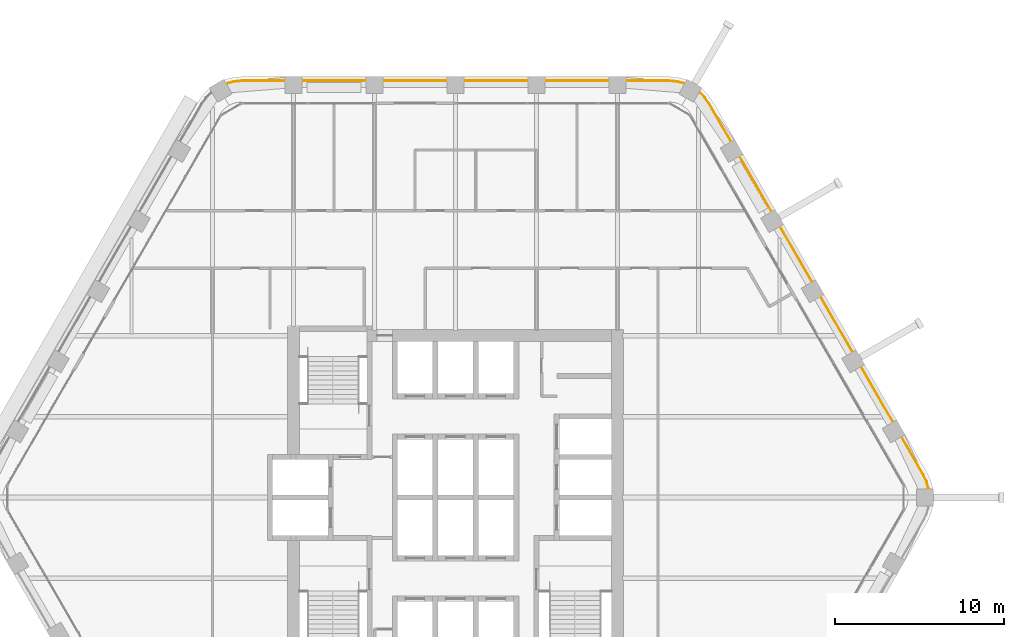
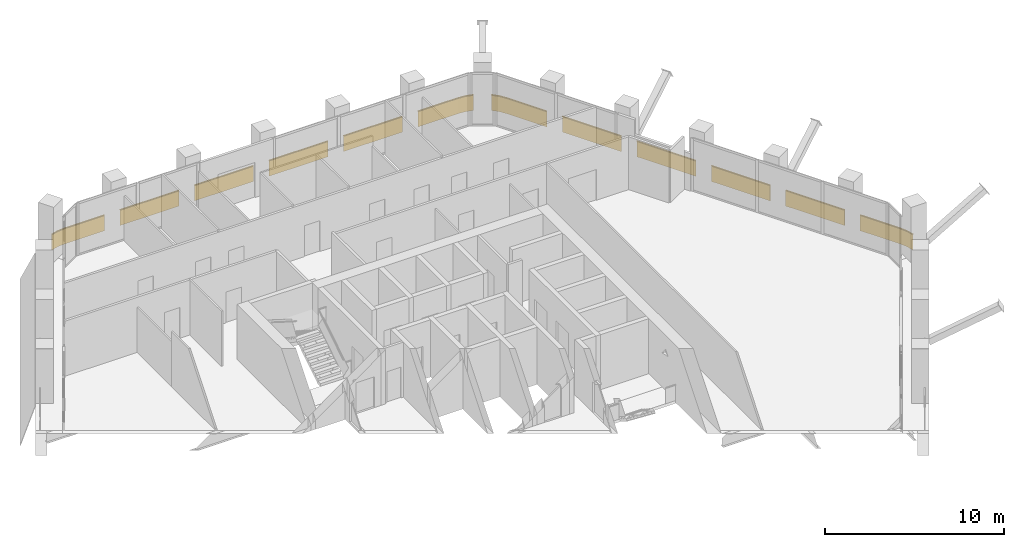
# One storey, part 16 of 16: 2 railings.
"""IFC4 building model written with IfcOpenShell, lengths in metres."""

from ifc_helpers import new_model, si_unit, direction, frame, frame_2d, origin, origin_2d, place, context, subcontext, project, spatial, rectangle, extrude, material, type_object, element, save


model = new_model("IFC4")

# Units and contexts
model_context = context("Model", 3, precision=1e-05, world=origin(), true_north=direction((0.0, 1.0)))
body_context = subcontext(model_context, "Body", "Model", "MODEL_VIEW")
ifc_project = project(units=[si_unit("LENGTHUNIT", "METRE"), si_unit("AREAUNIT", "SQUARE_METRE"), si_unit("VOLUMEUNIT", "CUBIC_METRE"), si_unit("PLANEANGLEUNIT", "RADIAN"), si_unit("MASSUNIT", "GRAM", prefix="KILO")], contexts=[model_context])

# Site, building, storey
site_placement = place(None, origin())
site = spatial("IfcSite", under=ifc_project, at=site_placement, CompositionType="ELEMENT")
building_placement = place(site_placement, origin())
building = spatial("IfcBuilding", under=site, at=building_placement, Name="Kolab Exchange Tower", CompositionType="ELEMENT")
storey_placement = place(building_placement, frame((0.0, 0.0, 177.800048828125)))
storey = spatial("IfcBuildingStorey", under=building, at=storey_placement, Name="L37", CompositionType="ELEMENT", Elevation=177.800048828125)

# Railings
ifc_material = material(Name="Steel S235", Category="steel")
railing_type = type_object("IfcRailingType", Name="GUARD 1100 GLASS BALUSTRADE AND STEEL TOP RAIL", PredefinedType="GUARDRAIL", material=ifc_material)
railing_1_placement = place(storey_placement, frame((13.588623046875, 24.531005859375, 0.0)))
element("IfcRailing", 1, at=railing_1_placement, inside=storey, type_object=railing_type, Name="Guard", PredefinedType="GUARDRAIL", context=body_context, shape_type="SweptSolid", body=[
    extrude(rectangle(XDim=0.05, YDim=0.05, at=origin_2d()), frame((0.0, 0.0, 1.0751953125), z_axis=(-0.965969425465, 0.25865627591, 0.0), x_axis=(-0.25865627591, -0.965969425465, 0.0)), (0.0, 0.0, 1.0), 0.458740234375),
    extrude(rectangle(XDim=0.012, YDim=1.05009765625, at=frame_2d((0.0, 0.525146484375))), frame((0.0, 0.0, 0.0), z_axis=(-0.965969425465, 0.25865627591, 0.0), x_axis=(-0.25865627591, -0.965969425465, 0.0)), (0.0, 0.0, 1.0), 0.458740234375),
    extrude(rectangle(XDim=0.05, YDim=0.05, at=origin_2d()), frame((-0.443115234375, 0.11865234375, 1.0751953125), z_axis=(-0.996156034798, 0.087596542937, 0.0), x_axis=(-0.087596542937, -0.996156034798, 0.0)), (0.0, 0.0, 1.0), 0.4794921875),
    extrude(rectangle(XDim=0.012, YDim=1.05009765625, at=frame_2d((0.0, 0.525146484375))), frame((-0.443115234375, 0.11865234375, 0.0), z_axis=(-0.996156034798, 0.087596542937, 0.0), x_axis=(-0.087596542937, -0.996156034798, 0.0)), (0.0, 0.0, 1.0), 0.4794921875),
    extrude(rectangle(XDim=0.05, YDim=0.05, at=origin_2d()), frame((-0.920654296875, 0.16064453125, 1.0751953125), z_axis=(-1.0, 0.0, 0.0), x_axis=(0.0, -1.0, 0.0)), (0.0, 0.0, 1.0), 2.56787109375),
    extrude(rectangle(XDim=0.012, YDim=1.05009765625, at=frame_2d((0.0, 0.525146484375))), frame((-0.920654296875, 0.16064453125, 0.0), z_axis=(-1.0, 0.0, 0.0), x_axis=(0.0, -1.0, 0.0)), (0.0, 0.0, 1.0), 2.56787109375),
    extrude(rectangle(XDim=0.05, YDim=0.05, at=origin_2d()), frame((-4.488525390625, 0.16064453125, 1.0751953125), z_axis=(-1.0, 0.0, 0.0), x_axis=(0.0, -1.0, 0.0)), (0.0, 0.0, 1.0), 3.800048828125),
    extrude(rectangle(XDim=0.012, YDim=1.05009765625, at=frame_2d((0.0, 0.525146484375))), frame((-4.488525390625, 0.16064453125, 0.0), z_axis=(-1.0, 0.0, 0.0), x_axis=(0.0, -1.0, 0.0)), (0.0, 0.0, 1.0), 3.800048828125),
    extrude(rectangle(XDim=0.05, YDim=0.05, at=origin_2d()), frame((-9.28857421875, 0.16064453125, 1.0751953125), z_axis=(-1.0, 0.0, 0.0), x_axis=(0.0, -1.0, 0.0)), (0.0, 0.0, 1.0), 3.800048828125),
    extrude(rectangle(XDim=0.012, YDim=1.05009765625, at=frame_2d((0.0, 0.525146484375))), frame((-9.28857421875, 0.16064453125, 0.0), z_axis=(-1.0, 0.0, 0.0), x_axis=(0.0, -1.0, 0.0)), (0.0, 0.0, 1.0), 3.800048828125),
    extrude(rectangle(XDim=0.05, YDim=0.05, at=origin_2d()), frame((-14.088623046875, 0.16064453125, 1.0751953125), z_axis=(-1.0, 0.0, 0.0), x_axis=(0.0, -1.0, 0.0)), (0.0, 0.0, 1.0), 3.800048828125),
    extrude(rectangle(XDim=0.012, YDim=1.05009765625, at=frame_2d((0.0, 0.525146484375))), frame((-14.088623046875, 0.16064453125, 0.0), z_axis=(-1.0, 0.0, 0.0), x_axis=(0.0, -1.0, 0.0)), (0.0, 0.0, 1.0), 3.800048828125),
    extrude(rectangle(XDim=0.05, YDim=0.05, at=origin_2d()), frame((-18.888671875, 0.16064453125, 1.0751953125), z_axis=(-1.0, 0.0, 0.0), x_axis=(0.0, -1.0, 0.0)), (0.0, 0.0, 1.0), 3.800048828125),
    extrude(rectangle(XDim=0.012, YDim=1.05009765625, at=frame_2d((0.0, 0.525146484375))), frame((-18.888671875, 0.16064453125, 0.0), z_axis=(-1.0, 0.0, 0.0), x_axis=(0.0, -1.0, 0.0)), (0.0, 0.0, 1.0), 3.800048828125),
    extrude(rectangle(XDim=0.05, YDim=0.05, at=origin_2d()), frame((-23.688720703125, 0.16064453125, 1.0751953125), z_axis=(-1.0, 0.0, 0.0), x_axis=(0.0, -1.0, 0.0)), (0.0, 0.0, 1.0), 2.56787109375),
    extrude(rectangle(XDim=0.012, YDim=1.05009765625, at=frame_2d((0.0, 0.525146484375))), frame((-23.688720703125, 0.16064453125, 0.0), z_axis=(-1.0, 0.0, 0.0), x_axis=(0.0, -1.0, 0.0)), (0.0, 0.0, 1.0), 2.56787109375),
    extrude(rectangle(XDim=0.05, YDim=0.05, at=origin_2d()), frame((-26.256591796875, 0.16064453125, 1.0751953125), z_axis=(-0.996156034798, -0.087596542937, 0.0), x_axis=(0.087596542937, -0.996156034798, 0.0)), (0.0, 0.0, 1.0), 0.4794921875),
    extrude(rectangle(XDim=0.012, YDim=1.05009765625, at=frame_2d((0.0, 0.525146484375))), frame((-26.256591796875, 0.16064453125, 0.0), z_axis=(-0.996156034798, -0.087596542937, 0.0), x_axis=(0.087596542937, -0.996156034798, 0.0)), (0.0, 0.0, 1.0), 0.4794921875),
    extrude(rectangle(XDim=0.05, YDim=0.05, at=origin_2d()), frame((-26.734130859375, 0.11865234375, 1.0751953125), z_axis=(-0.965969425465, -0.25865627591, 0.0), x_axis=(0.25865627591, -0.965969425465, 0.0)), (0.0, 0.0, 1.0), 0.458740234375),
    extrude(rectangle(XDim=0.012, YDim=1.05009765625, at=frame_2d((0.0, 0.525146484375))), frame((-26.734130859375, 0.11865234375, 0.0), z_axis=(-0.965969425465, -0.25865627591, 0.0), x_axis=(0.25865627591, -0.965969425465, 0.0)), (0.0, 0.0, 1.0), 0.458740234375),
])
railing_2_placement = place(storey_placement, frame((28.038818359375, 0.49755859375, 0.0)))
element("IfcRailing", 2, at=railing_2_placement, inside=storey, type_object=railing_type, Name="Guard", PredefinedType="GUARDRAIL", context=body_context, shape_type="SweptSolid", body=[
    extrude(rectangle(XDim=0.05, YDim=0.05, at=origin_2d()), frame((0.0, 0.0, 1.0751953125), z_axis=(-0.25865627591, 0.965969425465, 0.0), x_axis=(-0.965969425465, -0.25865627591, 0.0)), (0.0, 0.0, 1.0), 0.458740234375),
    extrude(rectangle(XDim=0.012, YDim=1.05009765625, at=frame_2d((0.0, 0.525146484375))), frame((0.0, 0.0, 0.0), z_axis=(-0.25865627591, 0.965969425465, 0.0), x_axis=(-0.965969425465, -0.25865627591, 0.0)), (0.0, 0.0, 1.0), 0.458740234375),
    extrude(rectangle(XDim=0.05, YDim=0.05, at=origin_2d()), frame((-0.11865234375, 0.443115234375, 1.0751953125), z_axis=(-0.422801802984, 0.906222177721, 0.0), x_axis=(-0.906222177721, -0.422801802984, 0.0)), (0.0, 0.0, 1.0), 0.479248046875),
    extrude(rectangle(XDim=0.012, YDim=1.05009765625, at=frame_2d((0.0, 0.525146484375))), frame((-0.11865234375, 0.443115234375, 0.0), z_axis=(-0.422801802984, 0.906222177721, 0.0), x_axis=(-0.906222177721, -0.422801802984, 0.0)), (0.0, 0.0, 1.0), 0.479248046875),
    extrude(rectangle(XDim=0.05, YDim=0.05, at=origin_2d()), frame((-0.3212890625, 0.87744140625, 1.0751953125), z_axis=(-0.499994038704, 0.866028845513, 0.0), x_axis=(-0.866028845513, -0.499994038704, 0.0)), (0.0, 0.0, 1.0), 2.56787109375),
    extrude(rectangle(XDim=0.012, YDim=1.05009765625, at=frame_2d((0.0, 0.525146484375))), frame((-0.3212890625, 0.87744140625, 0.0), z_axis=(-0.499994038704, 0.866028845513, 0.0), x_axis=(-0.866028845513, -0.499994038704, 0.0)), (0.0, 0.0, 1.0), 2.56787109375),
    extrude(rectangle(XDim=0.05, YDim=0.05, at=origin_2d()), frame((-2.105224609375, 3.96728515625, 1.0751953125), z_axis=(-0.500015340139, 0.86601654697, 0.0), x_axis=(-0.86601654697, -0.500015340139, 0.0)), (0.0, 0.0, 1.0), 3.80029296875),
    extrude(rectangle(XDim=0.012, YDim=1.05009765625, at=frame_2d((0.0, 0.525146484375))), frame((-2.105224609375, 3.96728515625, 0.0), z_axis=(-0.500015340139, 0.86601654697, 0.0), x_axis=(-0.86601654697, -0.500015340139, 0.0)), (0.0, 0.0, 1.0), 3.80029296875),
    extrude(rectangle(XDim=0.05, YDim=0.05, at=origin_2d()), frame((-4.50537109375, 8.124267578125, 1.0751953125), z_axis=(-0.499967155389, 0.866044365799, 0.0), x_axis=(-0.866044365799, -0.499967155389, 0.0)), (0.0, 0.0, 1.0), 3.800048828125),
    extrude(rectangle(XDim=0.012, YDim=1.05009765625, at=frame_2d((0.0, 0.525146484375))), frame((-4.50537109375, 8.124267578125, 0.0), z_axis=(-0.499967155389, 0.866044365799, 0.0), x_axis=(-0.866044365799, -0.499967155389, 0.0)), (0.0, 0.0, 1.0), 3.800048828125),
    extrude(rectangle(XDim=0.05, YDim=0.05, at=origin_2d()), frame((-6.9052734375, 12.28125, 1.0751953125), z_axis=(-0.500043160704, 0.866000483506, 0.0), x_axis=(-0.866000483506, -0.500043160704, 0.0)), (0.0, 0.0, 1.0), 3.800048828125),
    extrude(rectangle(XDim=0.012, YDim=1.05009765625, at=frame_2d((0.0, 0.525146484375))), frame((-6.9052734375, 12.28125, 0.0), z_axis=(-0.500043160704, 0.866000483506, 0.0), x_axis=(-0.866000483506, -0.500043160704, 0.0)), (0.0, 0.0, 1.0), 3.800048828125),
    extrude(rectangle(XDim=0.05, YDim=0.05, at=origin_2d()), frame((-9.305419921875, 16.438232421875, 1.0751953125), z_axis=(-0.499994975061, 0.866028304915, 0.0), x_axis=(-0.866028304915, -0.499994975061, 0.0)), (0.0, 0.0, 1.0), 3.7998046875),
    extrude(rectangle(XDim=0.012, YDim=1.05009765625, at=frame_2d((0.0, 0.525146484375))), frame((-9.305419921875, 16.438232421875, 0.0), z_axis=(-0.499994975061, 0.866028304915, 0.0), x_axis=(-0.866028304915, -0.499994975061, 0.0)), (0.0, 0.0, 1.0), 3.7998046875),
    extrude(rectangle(XDim=0.05, YDim=0.05, at=origin_2d()), frame((-11.705322265625, 20.594970703125, 1.0751953125), z_axis=(-0.499952873616, 0.866052610505, 0.0), x_axis=(-0.866052610505, -0.499952873616, 0.0)), (0.0, 0.0, 1.0), 2.568115234375),
    extrude(rectangle(XDim=0.012, YDim=1.05009765625, at=frame_2d((0.0, 0.525146484375))), frame((-11.705322265625, 20.594970703125, 0.0), z_axis=(-0.499952873616, 0.866052610505, 0.0), x_axis=(-0.866052610505, -0.499952873616, 0.0)), (0.0, 0.0, 1.0), 2.568115234375),
    extrude(rectangle(XDim=0.05, YDim=0.05, at=origin_2d()), frame((-12.9892578125, 22.819091796875, 1.0751953125), z_axis=(-0.573599091554, 0.819136180478, 0.0), x_axis=(-0.819136180478, -0.573599091554, 0.0)), (0.0, 0.0, 1.0), 0.479248046875),
    extrude(rectangle(XDim=0.012, YDim=1.05009765625, at=frame_2d((0.0, 0.525146484375))), frame((-12.9892578125, 22.819091796875, 0.0), z_axis=(-0.573599091554, 0.819136180478, 0.0), x_axis=(-0.819136180478, -0.573599091554, 0.0)), (0.0, 0.0, 1.0), 0.479248046875),
    extrude(rectangle(XDim=0.05, YDim=0.05, at=origin_2d()), frame((-13.26416015625, 23.211669921875, 1.0751953125), z_axis=(-0.70737286085, 0.706840601361, 0.0), x_axis=(-0.706840601361, -0.70737286085, 0.0)), (0.0, 0.0, 1.0), 0.458740234375),
    extrude(rectangle(XDim=0.012, YDim=1.05009765625, at=frame_2d((0.0, 0.525146484375))), frame((-13.26416015625, 23.211669921875, 0.0), z_axis=(-0.70737286085, 0.706840601361, 0.0), x_axis=(-0.706840601361, -0.70737286085, 0.0)), (0.0, 0.0, 1.0), 0.458740234375),
])

save(model, "model.ifc")
